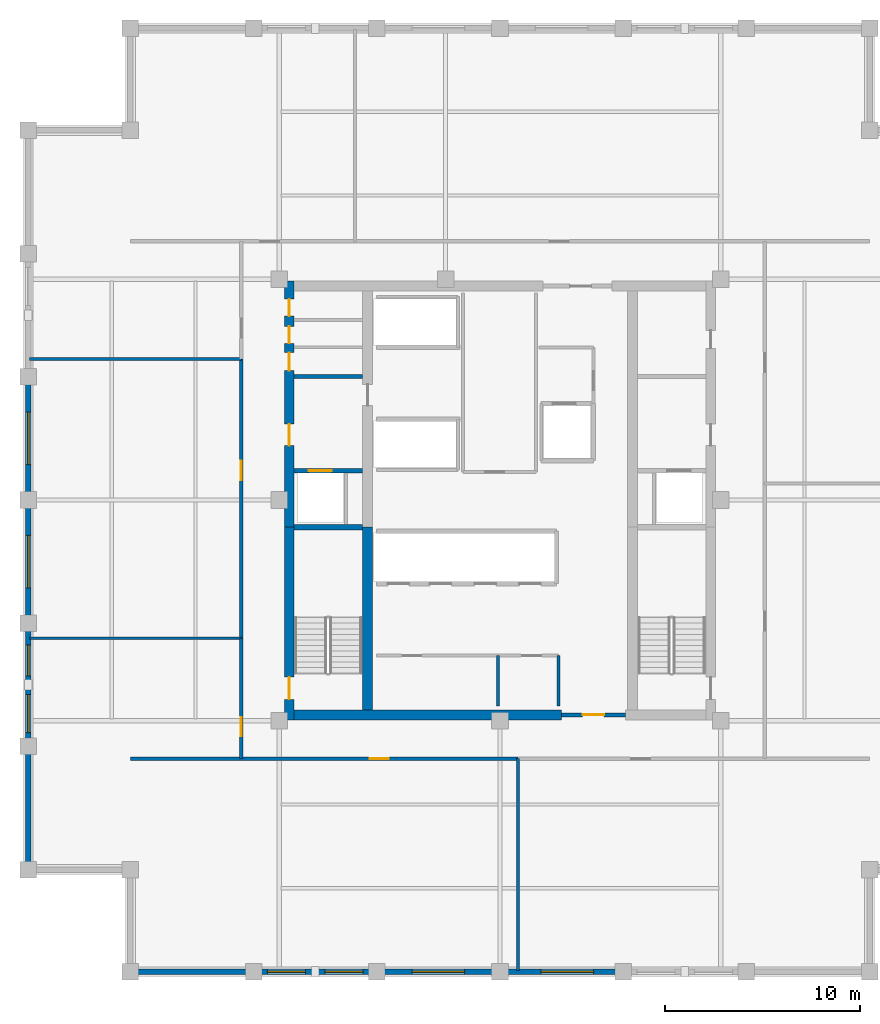
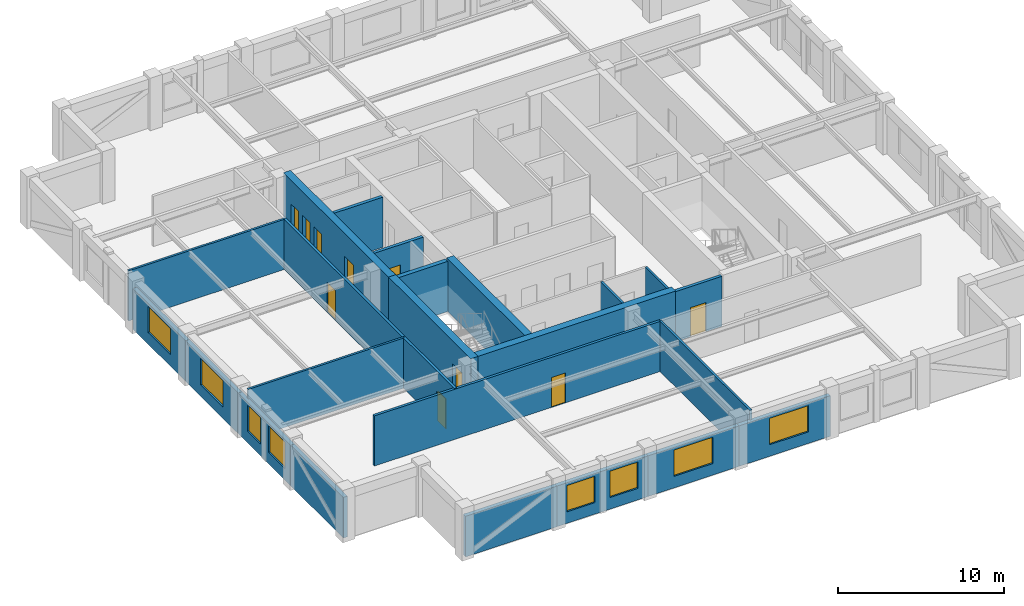
# One storey, part 2 of 6: 24 walls, 10 doors, 8 windows, 18 openings.
"""IFC4 building model written with IfcOpenShell, lengths in metres."""

from ifc_helpers import new_model, si_unit, direction, frame, frame_2d, origin, place, context, subcontext, project, spatial, rectangle, extrude, material, layer, layer_set, type_object, element, fill, save


model = new_model("IFC4")

# Units and contexts
model_context = context("Model", 3, precision=1e-05, world=origin(), true_north=direction((0.0, 1.0)))
body_context = subcontext(model_context, "Body", "Model", "MODEL_VIEW")
ifc_project = project(units=[si_unit("LENGTHUNIT", "METRE"), si_unit("AREAUNIT", "SQUARE_METRE"), si_unit("VOLUMEUNIT", "CUBIC_METRE"), si_unit("PLANEANGLEUNIT", "RADIAN"), si_unit("MASSUNIT", "GRAM", prefix="KILO")], contexts=[model_context])

# Site, building, storey
site_placement = place(None, origin())
site = spatial("IfcSite", under=ifc_project, at=site_placement, CompositionType="ELEMENT")
building_placement = place(site_placement, origin())
building = spatial("IfcBuilding", under=site, at=building_placement, Name="Nhamokura Convention Tower", CompositionType="ELEMENT")
storey_placement = place(building_placement, frame((0.0, 0.0, 217.699951171875)))
storey = spatial("IfcBuildingStorey", under=building, at=storey_placement, Name="L53", CompositionType="ELEMENT", Elevation=217.699951171875)

# Wall
ifc_material_1 = material(Name="Bronze-pigmented precast concrete C45/55", Category="concrete")
ifc_layer_1 = layer(ifc_material_1, 0.280029296875)
ifc_layer_set_1 = layer_set([ifc_layer_1], Name="BronzePrecastSpandrel_280")
wall_type_1 = type_object("IfcWallType", Name="BronzePrecastSpandrel_280", PredefinedType="USERDEFINED", material=ifc_layer_set_1)
wall_1_placement = place(storey_placement, frame((19.333251953125, 7.75, 0.0), z_axis=(0.0, 0.0, 1.0), x_axis=(-1.0, 0.0, 0.0)))
element("IfcWall", 1, at=wall_1_placement, inside=storey, type_object=wall_type_1, Name="L53 Braced-Bay Precast Wall SOUTH 0", ObjectType="SPANDREL_WALL", PredefinedType="USERDEFINED", context=body_context, shape_type="SweptSolid", body=[
    extrude(rectangle(XDim=6.333251953125, YDim=0.280029296875, at=frame_2d((3.16650390625, 0.0))), origin(), (0.0, 0.0, 1.0), 2.985107421875),
])

# Wall, openings, windows
wall_2_placement = place(storey_placement, frame((25.666748046875, 7.75, 0.0), z_axis=(0.0, 0.0, 1.0), x_axis=(-1.0, 0.0, 0.0)))
wall_2 = element("IfcWall", 2, at=wall_2_placement, inside=storey, type_object=wall_type_1, Name="L53 Masonry-Frame Wall SOUTH 1", ObjectType="SPANDREL_WALL", PredefinedType="USERDEFINED", context=body_context, shape_type="SweptSolid", body=[
    extrude(rectangle(XDim=6.33349609375, YDim=0.280029296875, at=frame_2d((3.166748046875, 0.0))), origin(), (0.0, 0.0, 1.0), 2.985107421875),
])
opening_1_placement = place(wall_2_placement, frame((0.708251953125, 0.0, 0.85009765625)))
opening_1 = element("IfcOpeningElement", 3, at=opening_1_placement, cuts=wall_2, Name="Opening W-08", PredefinedType="OPENING", context=body_context, shape_type="SweptSolid", body=[
    extrude(rectangle(XDim=1.949951171875, YDim=1.93505859375, at=frame_2d((0.97509765625, 0.967529296875))), frame((0.0, 0.14990234375, 0.0), z_axis=(0.0, -1.0, 0.0), x_axis=(1.0, 0.0, 0.0)), (0.0, 0.0, 1.0), 0.300048828125),
])
opening_2_placement = place(wall_2_placement, frame((3.675048828125, 0.0, 0.85009765625)))
opening_2 = element("IfcOpeningElement", 4, at=opening_2_placement, cuts=wall_2, Name="Opening W-08", PredefinedType="OPENING", context=body_context, shape_type="SweptSolid", body=[
    extrude(rectangle(XDim=1.949951171875, YDim=1.93505859375, at=frame_2d((0.97509765625, 0.967529296875))), frame((0.0, 0.14990234375, 0.0), z_axis=(0.0, -1.0, 0.0), x_axis=(1.0, 0.0, 0.0)), (0.0, 0.0, 1.0), 0.300048828125),
])
ifc_material_2 = material(Name="Solar-control bronze low-E double glass", Category="glass")
window_type_1 = type_object("IfcWindowType", Name="OfficeModuleWindow_Z3_1950", PartitioningType="SINGLE_PANEL", PredefinedType="WINDOW", material=ifc_material_2)
window_1_placement = place(opening_1_placement, origin())
window_1 = element("IfcWindow", 5, at=window_1_placement, inside=storey, type_object=window_type_1, Name="L53 Facade Window SOUTH 1-1", OverallHeight=1.93505859375, OverallWidth=1.949951171875, PartitioningType="SINGLE_PANEL", PredefinedType="WINDOW", context=body_context, shape_type="SweptSolid", body=[
    extrude(rectangle(XDim=1.949951171875, YDim=1.93505859375, at=frame_2d((0.97509765625, 0.967529296875))), frame((0.0, 0.030029296875, 0.0), z_axis=(0.0, -1.0, 0.0), x_axis=(1.0, 0.0, 0.0)), (0.0, 0.0, 1.0), 0.06005859375),
])
fill(opening_1, window_1)
window_2_placement = place(opening_2_placement, origin())
window_2 = element("IfcWindow", 6, at=window_2_placement, inside=storey, type_object=window_type_1, Name="L53 Facade Window SOUTH 1-2", OverallHeight=1.93505859375, OverallWidth=1.949951171875, PartitioningType="SINGLE_PANEL", PredefinedType="WINDOW", context=body_context, shape_type="SweptSolid", body=[
    extrude(rectangle(XDim=1.949951171875, YDim=1.93505859375, at=frame_2d((0.97509765625, 0.967529296875))), frame((0.0, 0.030029296875, 0.0), z_axis=(0.0, -1.0, 0.0), x_axis=(1.0, 0.0, 0.0)), (0.0, 0.0, 1.0), 0.06005859375),
])
fill(opening_2, window_2)

# Wall, opening, window
wall_3_placement = place(storey_placement, frame((32.0, 7.75, 0.0), z_axis=(0.0, 0.0, 1.0), x_axis=(-1.0, 0.0, 0.0)))
wall_3 = element("IfcWall", 7, at=wall_3_placement, inside=storey, type_object=wall_type_1, Name="L53 Masonry-Frame Wall SOUTH 2", ObjectType="SPANDREL_WALL", PredefinedType="USERDEFINED", context=body_context, shape_type="SweptSolid", body=[
    extrude(rectangle(XDim=6.333251953125, YDim=0.280029296875, at=frame_2d((3.16650390625, 0.0))), origin(), (0.0, 0.0, 1.0), 2.985107421875),
])
opening_3_placement = place(wall_3_placement, frame((1.816650390625, 0.0, 0.85009765625)))
opening_3 = element("IfcOpeningElement", 8, at=opening_3_placement, cuts=wall_3, Name="Opening W-07", PredefinedType="OPENING", context=body_context, shape_type="SweptSolid", body=[
    extrude(rectangle(XDim=2.699951171875, YDim=1.93505859375, at=frame_2d((1.35009765625, 0.967529296875))), frame((0.0, 0.14990234375, 0.0), z_axis=(0.0, -1.0, 0.0), x_axis=(1.0, 0.0, 0.0)), (0.0, 0.0, 1.0), 0.300048828125),
])
ifc_material_3 = material(Name="Solar-control bronze low-E double glass", Category="glass")
window_type_2 = type_object("IfcWindowType", Name="OfficeModuleWindow_Z3_2700", PartitioningType="DOUBLE_PANEL_VERTICAL", PredefinedType="WINDOW", material=ifc_material_3)
window_3_placement = place(opening_3_placement, origin())
window_3 = element("IfcWindow", 9, at=window_3_placement, inside=storey, type_object=window_type_2, Name="L53 Facade Window SOUTH 2", OverallHeight=1.93505859375, OverallWidth=2.699951171875, PartitioningType="SINGLE_PANEL", PredefinedType="WINDOW", context=body_context, shape_type="SweptSolid", body=[
    extrude(rectangle(XDim=2.699951171875, YDim=1.93505859375, at=frame_2d((1.35009765625, 0.967529296875))), frame((0.0, 0.030029296875, 0.0), z_axis=(0.0, -1.0, 0.0), x_axis=(1.0, 0.0, 0.0)), (0.0, 0.0, 1.0), 0.06005859375),
])
fill(opening_3, window_3)

wall_4_placement = place(storey_placement, frame((38.333251953125, 7.75, 0.0), z_axis=(0.0, 0.0, 1.0), x_axis=(-1.0, 0.0, 0.0)))
wall_4 = element("IfcWall", 10, at=wall_4_placement, inside=storey, type_object=wall_type_1, Name="L53 Masonry-Frame Wall SOUTH 3", ObjectType="SPANDREL_WALL", PredefinedType="USERDEFINED", context=body_context, shape_type="SweptSolid", body=[
    extrude(rectangle(XDim=6.333251953125, YDim=0.280029296875, at=frame_2d((3.16650390625, 0.0))), origin(), (0.0, 0.0, 1.0), 2.985107421875),
])
opening_4_placement = place(wall_4_placement, frame((1.5166015625, 0.0, 0.85009765625)))
opening_4 = element("IfcOpeningElement", 11, at=opening_4_placement, cuts=wall_4, Name="Opening W-07", PredefinedType="OPENING", context=body_context, shape_type="SweptSolid", body=[
    extrude(rectangle(XDim=2.699951171875, YDim=1.93505859375, at=frame_2d((1.35009765625, 0.967529296875))), frame((0.0, 0.14990234375, 0.0), z_axis=(0.0, -1.0, 0.0), x_axis=(1.0, 0.0, 0.0)), (0.0, 0.0, 1.0), 0.300048828125),
])
window_4_placement = place(opening_4_placement, origin())
window_4 = element("IfcWindow", 12, at=window_4_placement, inside=storey, type_object=window_type_2, Name="L53 Facade Window SOUTH 3", OverallHeight=1.93505859375, OverallWidth=2.699951171875, PartitioningType="SINGLE_PANEL", PredefinedType="WINDOW", context=body_context, shape_type="SweptSolid", body=[
    extrude(rectangle(XDim=2.699951171875, YDim=1.93505859375, at=frame_2d((1.35009765625, 0.967529296875))), frame((0.0, 0.030029296875, 0.0), z_axis=(0.0, -1.0, 0.0), x_axis=(1.0, 0.0, 0.0)), (0.0, 0.0, 1.0), 0.06005859375),
])
fill(opening_4, window_4)

# Wall
wall_5_placement = place(storey_placement, frame((7.75, 13.0, 0.0), z_axis=(0.0, 0.0, 1.0), x_axis=(0.0, 1.0, 0.0)))
element("IfcWall", 13, at=wall_5_placement, inside=storey, type_object=wall_type_1, Name="L53 Braced-Bay Precast Wall WEST 0", ObjectType="SPANDREL_WALL", PredefinedType="USERDEFINED", context=body_context, shape_type="SweptSolid", body=[
    extrude(rectangle(XDim=6.333251953125, YDim=0.280029296875, at=frame_2d((3.16650390625, 0.0))), origin(), (0.0, 0.0, 1.0), 2.985107421875),
])

# Wall, openings, windows
wall_6_placement = place(storey_placement, frame((7.75, 19.333251953125, 0.0), z_axis=(0.0, 0.0, 1.0), x_axis=(0.0, 1.0, 0.0)))
wall_6 = element("IfcWall", 14, at=wall_6_placement, inside=storey, type_object=wall_type_1, Name="L53 Masonry-Frame Wall WEST 1", ObjectType="SPANDREL_WALL", PredefinedType="USERDEFINED", context=body_context, shape_type="SweptSolid", body=[
    extrude(rectangle(XDim=6.33349609375, YDim=0.280029296875, at=frame_2d((3.166748046875, 0.0))), origin(), (0.0, 0.0, 1.0), 2.985107421875),
])
opening_5_placement = place(wall_6_placement, frame((0.708251953125, 0.0, 0.85009765625)))
opening_5 = element("IfcOpeningElement", 15, at=opening_5_placement, cuts=wall_6, Name="Opening W-08", PredefinedType="OPENING", context=body_context, shape_type="SweptSolid", body=[
    extrude(rectangle(XDim=1.949951171875, YDim=1.93505859375, at=frame_2d((0.97509765625, 0.967529296875))), frame((0.0, 0.14990234375, 0.0), z_axis=(0.0, -1.0, 0.0), x_axis=(1.0, 0.0, 0.0)), (0.0, 0.0, 1.0), 0.300048828125),
])
opening_6_placement = place(wall_6_placement, frame((3.625, 0.0, 0.85009765625)))
opening_6 = element("IfcOpeningElement", 16, at=opening_6_placement, cuts=wall_6, Name="Opening W-11", PredefinedType="OPENING", context=body_context, shape_type="SweptSolid", body=[
    extrude(rectangle(XDim=1.60009765625, YDim=1.93505859375, at=frame_2d((0.800048828125, 0.967529296875))), frame((0.0, 0.14990234375, 0.0), z_axis=(0.0, -1.0, 0.0), x_axis=(1.0, 0.0, 0.0)), (0.0, 0.0, 1.0), 0.300048828125),
])
ifc_material_4 = material(Name="Solar-control bronze low-E double glass", Category="glass")
window_type_3 = type_object("IfcWindowType", Name="NotchCornerWindow_1600", PartitioningType="SINGLE_PANEL", PredefinedType="WINDOW", material=ifc_material_4)
window_5_placement = place(opening_6_placement, origin())
window_5 = element("IfcWindow", 17, at=window_5_placement, inside=storey, type_object=window_type_3, Name="L53 Facade Window WEST 1-2", OverallHeight=1.93505859375, OverallWidth=1.60009765625, PartitioningType="SINGLE_PANEL", PredefinedType="WINDOW", context=body_context, shape_type="SweptSolid", body=[
    extrude(rectangle(XDim=1.60009765625, YDim=1.93505859375, at=frame_2d((0.800048828125, 0.967529296875))), frame((0.0, 0.030029296875, 0.0), z_axis=(0.0, -1.0, 0.0), x_axis=(1.0, 0.0, 0.0)), (0.0, 0.0, 1.0), 0.06005859375),
])
fill(opening_6, window_5)
window_6_placement = place(opening_5_placement, origin())
window_6 = element("IfcWindow", 18, at=window_6_placement, inside=storey, type_object=window_type_1, Name="L53 Facade Window WEST 1-1", OverallHeight=1.93505859375, OverallWidth=1.949951171875, PartitioningType="SINGLE_PANEL", PredefinedType="WINDOW", context=body_context, shape_type="SweptSolid", body=[
    extrude(rectangle(XDim=1.949951171875, YDim=1.93505859375, at=frame_2d((0.97509765625, 0.967529296875))), frame((0.0, 0.030029296875, 0.0), z_axis=(0.0, -1.0, 0.0), x_axis=(1.0, 0.0, 0.0)), (0.0, 0.0, 1.0), 0.06005859375),
])
fill(opening_5, window_6)

# Wall, opening, window
wall_7_placement = place(storey_placement, frame((7.75, 25.666748046875, 0.0), z_axis=(0.0, 0.0, 1.0), x_axis=(0.0, 1.0, 0.0)))
wall_7 = element("IfcWall", 19, at=wall_7_placement, inside=storey, type_object=wall_type_1, Name="L53 Masonry-Frame Wall WEST 2", ObjectType="SPANDREL_WALL", PredefinedType="USERDEFINED", context=body_context, shape_type="SweptSolid", body=[
    extrude(rectangle(XDim=6.333251953125, YDim=0.280029296875, at=frame_2d((3.16650390625, 0.0))), origin(), (0.0, 0.0, 1.0), 2.985107421875),
])
opening_7_placement = place(wall_7_placement, frame((1.816650390625, 0.0, 0.85009765625)))
opening_7 = element("IfcOpeningElement", 20, at=opening_7_placement, cuts=wall_7, Name="Opening W-07", PredefinedType="OPENING", context=body_context, shape_type="SweptSolid", body=[
    extrude(rectangle(XDim=2.699951171875, YDim=1.93505859375, at=frame_2d((1.35009765625, 0.967529296875))), frame((0.0, 0.14990234375, 0.0), z_axis=(0.0, -1.0, 0.0), x_axis=(1.0, 0.0, 0.0)), (0.0, 0.0, 1.0), 0.300048828125),
])
window_7_placement = place(opening_7_placement, origin())
window_7 = element("IfcWindow", 21, at=window_7_placement, inside=storey, type_object=window_type_2, Name="L53 Facade Window WEST 2", OverallHeight=1.93505859375, OverallWidth=2.699951171875, PartitioningType="SINGLE_PANEL", PredefinedType="WINDOW", context=body_context, shape_type="SweptSolid", body=[
    extrude(rectangle(XDim=2.699951171875, YDim=1.93505859375, at=frame_2d((1.35009765625, 0.967529296875))), frame((0.0, 0.030029296875, 0.0), z_axis=(0.0, -1.0, 0.0), x_axis=(1.0, 0.0, 0.0)), (0.0, 0.0, 1.0), 0.06005859375),
])
fill(opening_7, window_7)

wall_8_placement = place(storey_placement, frame((7.75, 32.0, 0.0), z_axis=(0.0, 0.0, 1.0), x_axis=(0.0, 1.0, 0.0)))
wall_8 = element("IfcWall", 22, at=wall_8_placement, inside=storey, type_object=wall_type_1, Name="L53 Masonry-Frame Wall WEST 3", ObjectType="SPANDREL_WALL", PredefinedType="USERDEFINED", context=body_context, shape_type="SweptSolid", body=[
    extrude(rectangle(XDim=6.333251953125, YDim=0.280029296875, at=frame_2d((3.16650390625, 0.0))), origin(), (0.0, 0.0, 1.0), 2.985107421875),
])
opening_8_placement = place(wall_8_placement, frame((1.816650390625, 0.0, 0.85009765625)))
opening_8 = element("IfcOpeningElement", 23, at=opening_8_placement, cuts=wall_8, Name="Opening W-07", PredefinedType="OPENING", context=body_context, shape_type="SweptSolid", body=[
    extrude(rectangle(XDim=2.699951171875, YDim=1.93505859375, at=frame_2d((1.35009765625, 0.967529296875))), frame((0.0, 0.14990234375, 0.0), z_axis=(0.0, -1.0, 0.0), x_axis=(1.0, 0.0, 0.0)), (0.0, 0.0, 1.0), 0.300048828125),
])
window_8_placement = place(opening_8_placement, origin())
window_8 = element("IfcWindow", 24, at=window_8_placement, inside=storey, type_object=window_type_2, Name="L53 Facade Window WEST 3", OverallHeight=1.93505859375, OverallWidth=2.699951171875, PartitioningType="SINGLE_PANEL", PredefinedType="WINDOW", context=body_context, shape_type="SweptSolid", body=[
    extrude(rectangle(XDim=2.699951171875, YDim=1.93505859375, at=frame_2d((1.35009765625, 0.967529296875))), frame((0.0, 0.030029296875, 0.0), z_axis=(0.0, -1.0, 0.0), x_axis=(1.0, 0.0, 0.0)), (0.0, 0.0, 1.0), 0.06005859375),
])
fill(opening_8, window_8)

# Wall, opening, door
ifc_material_5 = material(Name="Concrete C60/75", Category="concrete")
ifc_layer_2 = layer(ifc_material_5, 0.5)
ifc_layer_set_2 = layer_set([ifc_layer_2], Name="CoreShearWall_500")
wall_type_2 = type_object("IfcWallType", Name="CoreShearWall_500", PredefinedType="SHEAR", material=ifc_layer_set_2)
wall_9_placement = place(storey_placement, frame((21.159912109375, 20.699951171875, 0.0), z_axis=(0.0, 0.0, 1.0), x_axis=(0.0, 1.0, 0.0)))
wall_9 = element("IfcWall", 25, at=wall_9_placement, inside=storey, type_object=wall_type_2, Name="L53 Core Shear Wall CW-WS", PredefinedType="SHEAR", context=body_context, shape_type="SweptSolid", body=[
    extrude(rectangle(XDim=9.900146484375, YDim=0.5, at=frame_2d((4.9501953125, 0.0))), origin(), (0.0, 0.0, 1.0), 3.85009765625),
])
opening_9_placement = place(wall_9_placement, frame((1.050048828125, 0.0, 0.0)))
opening_9 = element("IfcOpeningElement", 26, at=opening_9_placement, cuts=wall_9, Name="Opening D-04", PredefinedType="OPENING", context=body_context, shape_type="SweptSolid", body=[
    extrude(rectangle(XDim=1.14990234375, YDim=2.14990234375, at=frame_2d((0.574951171875, 1.074951171875))), frame((0.0, 0.260009765625, 0.0), z_axis=(0.0, -1.0, 0.0), x_axis=(1.0, 0.0, 0.0)), (0.0, 0.0, 1.0), 0.52001953125),
])
ifc_material_6 = material(Name="Fire-rated steel door", Category="steel")
door_type_1 = type_object("IfcDoorType", Name="StairSmokeDoor_1150", OperationType="NOTDEFINED", PredefinedType="DOOR", material=ifc_material_6)
door_1_placement = place(opening_9_placement, origin())
door_1 = element("IfcDoor", 27, at=door_1_placement, inside=storey, type_object=door_type_1, Name="L53 Core Door INT-L53-D-ST01", OperationType="SINGLE_SWING_LEFT", OverallHeight=2.14990234375, OverallWidth=1.14990234375, PredefinedType="DOOR", context=body_context, shape_type="SweptSolid", body=[
    extrude(rectangle(XDim=1.14990234375, YDim=2.14990234375, at=frame_2d((0.574951171875, 1.074951171875))), frame((0.0, 0.02490234375, 0.0), z_axis=(0.0, -1.0, 0.0), x_axis=(1.0, 0.0, 0.0)), (0.0, 0.0, 1.0), 0.050048828125),
])
fill(opening_9, door_1)

# Wall, openings, doors
wall_10_placement = place(storey_placement, frame((21.159912109375, 30.60009765625, 0.0), z_axis=(0.0, 0.0, 1.0), x_axis=(0.0, 1.0, 0.0)))
wall_10 = element("IfcWall", 28, at=wall_10_placement, inside=storey, type_object=wall_type_2, Name="L53 Core Shear Wall CW-WN", PredefinedType="SHEAR", context=body_context, shape_type="SweptSolid", body=[
    extrude(rectangle(XDim=12.64990234375, YDim=0.5, at=frame_2d((6.324951171875, 0.0))), origin(), (0.0, 0.0, 1.0), 3.85009765625),
])
opening_10_placement = place(wall_10_placement, frame((4.199951171875, 0.0, 0.0)))
opening_10 = element("IfcOpeningElement", 29, at=opening_10_placement, cuts=wall_10, Name="Opening D-05", PredefinedType="OPENING", context=body_context, shape_type="SweptSolid", body=[
    extrude(rectangle(XDim=1.10009765625, YDim=2.14990234375, at=frame_2d((0.550048828125, 1.074951171875))), frame((0.0, 0.260009765625, 0.0), z_axis=(0.0, -1.0, 0.0), x_axis=(1.0, 0.0, 0.0)), (0.0, 0.0, 1.0), 0.52001953125),
])
opening_11_placement = place(wall_10_placement, frame((8.050048828125, 0.0, 0.0)))
opening_11 = element("IfcOpeningElement", 30, at=opening_11_placement, cuts=wall_10, Name="Opening D-10", PredefinedType="OPENING", context=body_context, shape_type="SweptSolid", body=[
    extrude(rectangle(XDim=0.919921875, YDim=2.10009765625, at=frame_2d((0.4599609375, 1.050048828125))), frame((0.0, 0.260009765625, 0.0), z_axis=(0.0, -1.0, 0.0), x_axis=(1.0, 0.0, 0.0)), (0.0, 0.0, 1.0), 0.52001953125),
])
opening_12_placement = place(wall_10_placement, frame((9.449951171875, 0.0, 0.0)))
opening_12 = element("IfcOpeningElement", 31, at=opening_12_placement, cuts=wall_10, Name="Opening D-11", PredefinedType="OPENING", context=body_context, shape_type="SweptSolid", body=[
    extrude(rectangle(XDim=0.8798828125, YDim=2.10009765625, at=frame_2d((0.43994140625, 1.050048828125))), frame((0.0, 0.260009765625, 0.0), z_axis=(0.0, -1.0, 0.0), x_axis=(1.0, 0.0, 0.0)), (0.0, 0.0, 1.0), 0.52001953125),
])
opening_13_placement = place(wall_10_placement, frame((10.85009765625, 0.0, 0.0)))
opening_13 = element("IfcOpeningElement", 32, at=opening_13_placement, cuts=wall_10, Name="Opening D-11", PredefinedType="OPENING", context=body_context, shape_type="SweptSolid", body=[
    extrude(rectangle(XDim=0.8798828125, YDim=2.10009765625, at=frame_2d((0.43994140625, 1.050048828125))), frame((0.0, 0.260009765625, 0.0), z_axis=(0.0, -1.0, 0.0), x_axis=(1.0, 0.0, 0.0)), (0.0, 0.0, 1.0), 0.52001953125),
])
ifc_material_7 = material(Name="Solid oak hardwood", Category="wood")
door_type_2 = type_object("IfcDoorType", Name="AccessibleWCDoor_920", OperationType="NOTDEFINED", PredefinedType="DOOR", material=ifc_material_7)
door_2_placement = place(opening_11_placement, origin())
door_2 = element("IfcDoor", 33, at=door_2_placement, inside=storey, type_object=door_type_2, Name="L53 Core Door INT-L53-D-AWC", OperationType="SINGLE_SWING_LEFT", OverallHeight=2.10009765625, OverallWidth=0.919921875, PredefinedType="DOOR", context=body_context, shape_type="SweptSolid", body=[
    extrude(rectangle(XDim=0.919921875, YDim=2.10009765625, at=frame_2d((0.4599609375, 1.050048828125))), frame((0.0, 0.02490234375, 0.0), z_axis=(0.0, -1.0, 0.0), x_axis=(1.0, 0.0, 0.0)), (0.0, 0.0, 1.0), 0.050048828125),
])
fill(opening_11, door_2)
ifc_material_8 = material(Name="Solid oak hardwood", Category="wood")
door_type_3 = type_object("IfcDoorType", Name="BathroomDoor_880", OperationType="NOTDEFINED", PredefinedType="DOOR", material=ifc_material_8)
door_3_placement = place(opening_12_placement, origin())
door_3 = element("IfcDoor", 34, at=door_3_placement, inside=storey, type_object=door_type_3, Name="L53 Core Door INT-L53-D-CLN", OperationType="SINGLE_SWING_RIGHT", OverallHeight=2.10009765625, OverallWidth=0.8798828125, PredefinedType="DOOR", context=body_context, shape_type="SweptSolid", body=[
    extrude(rectangle(XDim=0.8798828125, YDim=2.10009765625, at=frame_2d((0.43994140625, 1.050048828125))), frame((0.0, 0.02490234375, 0.0), z_axis=(0.0, -1.0, 0.0), x_axis=(1.0, 0.0, 0.0)), (0.0, 0.0, 1.0), 0.050048828125),
])
fill(opening_12, door_3)
door_4_placement = place(opening_13_placement, origin())
door_4 = element("IfcDoor", 35, at=door_4_placement, inside=storey, type_object=door_type_3, Name="L53 Core Door INT-L53-D-PNT", OperationType="SINGLE_SWING_LEFT", OverallHeight=2.10009765625, OverallWidth=0.8798828125, PredefinedType="DOOR", context=body_context, shape_type="SweptSolid", body=[
    extrude(rectangle(XDim=0.8798828125, YDim=2.10009765625, at=frame_2d((0.43994140625, 1.050048828125))), frame((0.0, 0.02490234375, 0.0), z_axis=(0.0, -1.0, 0.0), x_axis=(1.0, 0.0, 0.0)), (0.0, 0.0, 1.0), 0.050048828125),
])
fill(opening_13, door_4)
ifc_material_9 = material(Name="Fire-rated steel door", Category="steel")
door_type_4 = type_object("IfcDoorType", Name="FireLobbyDoor_1100", OperationType="NOTDEFINED", PredefinedType="DOOR", material=ifc_material_9)
door_5_placement = place(opening_10_placement, origin())
door_5 = element("IfcDoor", 36, at=door_5_placement, inside=storey, type_object=door_type_4, Name="L53 Core Door INT-L53-D-FFLW", OperationType="SINGLE_SWING_RIGHT", OverallHeight=2.14990234375, OverallWidth=1.10009765625, PredefinedType="DOOR", context=body_context, shape_type="SweptSolid", body=[
    extrude(rectangle(XDim=1.10009765625, YDim=2.14990234375, at=frame_2d((0.550048828125, 1.074951171875))), frame((0.0, 0.02490234375, 0.0), z_axis=(0.0, -1.0, 0.0), x_axis=(1.0, 0.0, 0.0)), (0.0, 0.0, 1.0), 0.050048828125),
])
fill(opening_10, door_5)

# Walls
wall_11_placement = place(storey_placement, frame((21.409912109375, 20.949951171875, 0.0), z_axis=(0.0, 0.0, 1.0), x_axis=(1.0, 0.0, 0.0)))
element("IfcWall", 37, at=wall_11_placement, inside=storey, type_object=wall_type_2, Name="L53 Core Shear Wall CW-S1", PredefinedType="SHEAR", context=body_context, shape_type="SweptSolid", body=[
    extrude(rectangle(XDim=13.739990234375, YDim=0.5, at=frame_2d((6.8701171875, 0.0))), origin(), (0.0, 0.0, 1.0), 3.85009765625),
])
wall_12_placement = place(storey_placement, frame((25.18994140625, 21.199951171875, 0.0), z_axis=(0.0, 0.0, 1.0), x_axis=(0.0, 1.0, 0.0)))
element("IfcWall", 38, at=wall_12_placement, inside=storey, type_object=wall_type_2, Name="L53 Core Shear Wall CW-IWS", PredefinedType="SHEAR", context=body_context, shape_type="SweptSolid", body=[
    extrude(rectangle(XDim=9.400146484375, YDim=0.5, at=frame_2d((4.7001953125, 0.0))), origin(), (0.0, 0.0, 1.0), 3.85009765625),
])

# Wall, opening, door
ifc_material_10 = material(Name="Fire-rated gypsum and masonry partition", Category="masonry")
ifc_layer_3 = layer(ifc_material_10, 0.179931640625)
ifc_layer_set_3 = layer_set([ifc_layer_3], Name="CorridorRatedWall_180")
wall_type_3 = type_object("IfcWallType", Name="CorridorRatedWall_180", PredefinedType="STANDARD", material=ifc_layer_set_3)
wall_13_placement = place(storey_placement, frame((13.0, 18.699951171875, 0.0), z_axis=(0.0, 0.0, 1.0), x_axis=(1.0, 0.0, 0.0)))
wall_13 = element("IfcWall", 39, at=wall_13_placement, inside=storey, type_object=wall_type_3, Name="L53 Wall INT-L53-CW-S00", PredefinedType="STANDARD", context=body_context, shape_type="SweptSolid", body=[
    extrude(rectangle(XDim=19.925048828125, YDim=0.179931640625, at=frame_2d((9.96240234375, 0.0))), origin(), (0.0, 0.0, 1.0), 3.68505859375),
])
opening_14_placement = place(wall_13_placement, frame((12.3125, 0.0, 0.0)))
opening_14 = element("IfcOpeningElement", 40, at=opening_14_placement, cuts=wall_13, Name="Opening D-08", PredefinedType="OPENING", context=body_context, shape_type="SweptSolid", body=[
    extrude(rectangle(XDim=0.97998046875, YDim=2.199951171875, at=frame_2d((0.489990234375, 1.10009765625))), frame((0.0, 0.099853515625, 0.0), z_axis=(0.0, -1.0, 0.0), x_axis=(1.0, 0.0, 0.0)), (0.0, 0.0, 1.0), 0.199951171875),
])
ifc_material_11 = material(Name="Solid oak hardwood", Category="wood")
door_type_5 = type_object("IfcDoorType", Name="OfficeEntryDoor_980", OperationType="NOTDEFINED", PredefinedType="DOOR", material=ifc_material_11)
door_6_placement = place(opening_14_placement, origin())
door_6 = element("IfcDoor", 41, at=door_6_placement, inside=storey, type_object=door_type_5, Name="L53 Design Studio S01 Door", OperationType="SINGLE_SWING_LEFT", OverallHeight=2.199951171875, OverallWidth=0.97998046875, PredefinedType="DOOR", context=body_context, shape_type="SweptSolid", body=[
    extrude(rectangle(XDim=0.97998046875, YDim=2.199951171875, at=frame_2d((0.489990234375, 1.10009765625))), frame((0.0, 0.02490234375, 0.0), z_axis=(0.0, -1.0, 0.0), x_axis=(1.0, 0.0, 0.0)), (0.0, 0.0, 1.0), 0.050048828125),
])
fill(opening_14, door_6)

wall_14_placement = place(storey_placement, frame((18.699951171875, 18.699951171875, 0.0), z_axis=(0.0, 0.0, 1.0), x_axis=(0.0, 1.0, 0.0)))
wall_14 = element("IfcWall", 42, at=wall_14_placement, inside=storey, type_object=wall_type_3, Name="L53 Wall INT-L53-CW-W00", PredefinedType="STANDARD", context=body_context, shape_type="SweptSolid", body=[
    extrude(rectangle(XDim=6.191650390625, YDim=0.179931640625, at=frame_2d((3.095703125, 0.0))), origin(), (0.0, 0.0, 1.0), 3.68505859375),
])
opening_15_placement = place(wall_14_placement, frame((1.14599609375, 0.0, 0.0)))
opening_15 = element("IfcOpeningElement", 43, at=opening_15_placement, cuts=wall_14, Name="Opening D-08", PredefinedType="OPENING", context=body_context, shape_type="SweptSolid", body=[
    extrude(rectangle(XDim=0.97998046875, YDim=2.199951171875, at=frame_2d((0.489990234375, 1.10009765625))), frame((0.0, 0.099853515625, 0.0), z_axis=(0.0, -1.0, 0.0), x_axis=(1.0, 0.0, 0.0)), (0.0, 0.0, 1.0), 0.199951171875),
])
door_7_placement = place(opening_15_placement, origin())
door_7 = element("IfcDoor", 44, at=door_7_placement, inside=storey, type_object=door_type_5, Name="L53 Materials Library W01 Door", OperationType="SINGLE_SWING_LEFT", OverallHeight=2.199951171875, OverallWidth=0.97998046875, PredefinedType="DOOR", context=body_context, shape_type="SweptSolid", body=[
    extrude(rectangle(XDim=0.97998046875, YDim=2.199951171875, at=frame_2d((0.489990234375, 1.10009765625))), frame((0.0, 0.02490234375, 0.0), z_axis=(0.0, -1.0, 0.0), x_axis=(1.0, 0.0, 0.0)), (0.0, 0.0, 1.0), 0.050048828125),
])
fill(opening_15, door_7)

wall_15_placement = place(storey_placement, frame((18.699951171875, 24.8916015625, 0.0), z_axis=(0.0, 0.0, 1.0), x_axis=(0.0, 1.0, 0.0)))
wall_15 = element("IfcWall", 45, at=wall_15_placement, inside=storey, type_object=wall_type_3, Name="L53 Wall INT-L53-CW-W01", PredefinedType="STANDARD", context=body_context, shape_type="SweptSolid", body=[
    extrude(rectangle(XDim=14.36669921875, YDim=0.179931640625, at=frame_2d((7.183349609375, 0.0))), origin(), (0.0, 0.0, 1.0), 3.68505859375),
])
opening_16_placement = place(wall_15_placement, frame((8.13330078125, 0.0, 0.0)))
opening_16 = element("IfcOpeningElement", 46, at=opening_16_placement, cuts=wall_15, Name="Opening D-08", PredefinedType="OPENING", context=body_context, shape_type="SweptSolid", body=[
    extrude(rectangle(XDim=0.97998046875, YDim=2.199951171875, at=frame_2d((0.489990234375, 1.10009765625))), frame((0.0, 0.099853515625, 0.0), z_axis=(0.0, -1.0, 0.0), x_axis=(1.0, 0.0, 0.0)), (0.0, 0.0, 1.0), 0.199951171875),
])
door_8_placement = place(opening_16_placement, origin())
door_8 = element("IfcDoor", 47, at=door_8_placement, inside=storey, type_object=door_type_5, Name="L53 Private Office W02 Door", OperationType="SINGLE_SWING_RIGHT", OverallHeight=2.199951171875, OverallWidth=0.97998046875, PredefinedType="DOOR", context=body_context, shape_type="SweptSolid", body=[
    extrude(rectangle(XDim=0.97998046875, YDim=2.199951171875, at=frame_2d((0.489990234375, 1.10009765625))), frame((0.0, 0.02490234375, 0.0), z_axis=(0.0, -1.0, 0.0), x_axis=(1.0, 0.0, 0.0)), (0.0, 0.0, 1.0), 0.050048828125),
])
fill(opening_16, door_8)

ifc_material_12 = material(Name="Autoclaved concrete blockwork", Category="masonry")
ifc_layer_4 = layer(ifc_material_12, 0.219970703125)
ifc_layer_set_4 = layer_set([ifc_layer_4], Name="FireLobbyWall_220")
wall_type_4 = type_object("IfcWallType", Name="FireLobbyWall_220", PredefinedType="STANDARD", material=ifc_layer_set_4)
wall_16_placement = place(storey_placement, frame((21.409912109375, 33.5, 0.0), z_axis=(0.0, 0.0, 1.0), x_axis=(1.0, 0.0, 0.0)))
wall_16 = element("IfcWall", 48, at=wall_16_placement, inside=storey, type_object=wall_type_4, Name="L53 Wall INT-L53-FFW-S", PredefinedType="STANDARD", context=body_context, shape_type="SweptSolid", body=[
    extrude(rectangle(XDim=3.530029296875, YDim=0.219970703125, at=frame_2d((1.76513671875, 0.0))), origin(), (0.0, 0.0, 1.0), 3.68505859375),
])
opening_17_placement = place(wall_16_placement, frame((0.75, 0.0, 0.0)))
opening_17 = element("IfcOpeningElement", 49, at=opening_17_placement, cuts=wall_16, Name="Opening LD-02", PredefinedType="OPENING", context=body_context, shape_type="SweptSolid", body=[
    extrude(rectangle(XDim=1.199951171875, YDim=2.199951171875, at=frame_2d((0.60009765625, 1.10009765625))), frame((0.0, 0.119873046875, 0.0), z_axis=(0.0, -1.0, 0.0), x_axis=(1.0, 0.0, 0.0)), (0.0, 0.0, 1.0), 0.239990234375),
])
ifc_material_13 = material(Name="Anodised bronze stainless steel", Category="steel")
door_type_6 = type_object("IfcDoorType", Name="LiftLandingDoor_FireService", OperationType="DOUBLE_DOOR_SLIDING", PredefinedType="DOOR", material=ifc_material_13)
door_9_placement = place(opening_17_placement, origin())
door_9 = element("IfcDoor", 50, at=door_9_placement, inside=storey, type_object=door_type_6, Name="L53 Firefighting Lift LF-01 Door", OperationType="DOUBLE_DOOR_SLIDING", OverallHeight=2.199951171875, OverallWidth=1.199951171875, PredefinedType="DOOR", context=body_context, shape_type="SweptSolid", body=[
    extrude(rectangle(XDim=1.199951171875, YDim=2.199951171875, at=frame_2d((0.60009765625, 1.10009765625))), frame((0.0, 0.02490234375, 0.0), z_axis=(0.0, -1.0, 0.0), x_axis=(1.0, 0.0, 0.0)), (0.0, 0.0, 1.0), 0.050048828125),
])
fill(opening_17, door_9)

# Wall
wall_17_placement = place(storey_placement, frame((21.409912109375, 38.35009765625, 0.0), z_axis=(0.0, 0.0, 1.0), x_axis=(1.0, 0.0, 0.0)))
element("IfcWall", 51, at=wall_17_placement, inside=storey, type_object=wall_type_4, Name="L53 Wall INT-L53-FFW-N", PredefinedType="STANDARD", context=body_context, shape_type="SweptSolid", body=[
    extrude(rectangle(XDim=3.530029296875, YDim=0.219970703125, at=frame_2d((1.76513671875, 0.0))), origin(), (0.0, 0.0, 1.0), 3.68505859375),
])

# Wall, opening, door
wall_18_placement = place(storey_placement, frame((35.14990234375, 20.949951171875, 0.0), z_axis=(0.0, 0.0, 1.0), x_axis=(1.0, 0.0, 0.0)))
wall_18 = element("IfcWall", 52, at=wall_18_placement, inside=storey, type_object=wall_type_4, Name="L53 Wall INT-L53-SPORT-S", PredefinedType="STANDARD", context=body_context, shape_type="SweptSolid", body=[
    extrude(rectangle(XDim=3.300048828125, YDim=0.219970703125, at=frame_2d((1.64990234375, 0.0))), origin(), (0.0, 0.0, 1.0), 3.68505859375),
])
opening_18_placement = place(wall_18_placement, frame((1.10009765625, 0.0, 0.0)))
opening_18 = element("IfcOpeningElement", 53, at=opening_18_placement, cuts=wall_18, Name="Opening D-05", PredefinedType="OPENING", context=body_context, shape_type="SweptSolid", body=[
    extrude(rectangle(XDim=1.10009765625, YDim=2.14990234375, at=frame_2d((0.550048828125, 1.074951171875))), frame((0.0, 0.119873046875, 0.0), z_axis=(0.0, -1.0, 0.0), x_axis=(1.0, 0.0, 0.0)), (0.0, 0.0, 1.0), 0.239990234375),
])
door_10_placement = place(opening_18_placement, origin())
door_10 = element("IfcDoor", 54, at=door_10_placement, inside=storey, type_object=door_type_4, Name="L53 South Core Lobby Portal Door", OperationType="SINGLE_SWING_LEFT", OverallHeight=2.14990234375, OverallWidth=1.10009765625, PredefinedType="DOOR", context=body_context, shape_type="SweptSolid", body=[
    extrude(rectangle(XDim=1.10009765625, YDim=2.14990234375, at=frame_2d((0.550048828125, 1.074951171875))), frame((0.0, 0.02490234375, 0.0), z_axis=(0.0, -1.0, 0.0), x_axis=(1.0, 0.0, 0.0)), (0.0, 0.0, 1.0), 0.050048828125),
])
fill(opening_18, door_10)

# Walls
ifc_material_14 = material(Name="Acoustic gypsum stud partition", Category="masonry")
ifc_layer_5 = layer(ifc_material_14, 0.14990234375)
ifc_layer_set_5 = layer_set([ifc_layer_5], Name="InteriorPartition_150")
wall_type_5 = type_object("IfcWallType", Name="InteriorPartition_150", PredefinedType="STANDARD", material=ifc_layer_set_5)
for number, where, z_axis, x_axis, name in (
    (55, (31.89990234375, 21.39990234375, 0.0), (0.0, 0.0, 1.0), (0.0, 1.0, 0.0), "L53 Wall INT-L53-B1R-M"),
    (56, (35.0, 21.39990234375, 0.0), (0.0, 0.0, 1.0), (0.0, 1.0, 0.0), "L53 Wall INT-L53-B1R-E"),
):
    element("IfcWall", number, at=place(storey_placement, frame(where, z_axis=z_axis, x_axis=x_axis)), inside=storey, type_object=wall_type_5, Name=name, PredefinedType="STANDARD", context=body_context, shape_type="SweptSolid", body=[
        extrude(rectangle(XDim=2.60009765625, YDim=0.14990234375, at=frame_2d((1.300048828125, 0.0))), origin(), (0.0, 0.0, 1.0), 3.68505859375),
    ])
for number, where, z_axis, x_axis, name in (
    (57, (32.925048828125, 7.81005859375, 0.0), (0.0, 0.0, 1.0), (0.0, 1.0, 0.0), "L53 Wall INT-L53-RW-S01"),
    (58, (7.81005859375, 24.8916015625, 0.0), (0.0, 0.0, 1.0), (1.0, 0.0, 0.0), "L53 Wall INT-L53-RW-W01"),
    (59, (7.81005859375, 39.25830078125, 0.0), (0.0, 0.0, 1.0), (1.0, 0.0, 0.0), "L53 Wall INT-L53-RW-W02"),
):
    element("IfcWall", number, at=place(storey_placement, frame(where, z_axis=z_axis, x_axis=x_axis)), inside=storey, type_object=wall_type_5, Name=name, PredefinedType="STANDARD", context=body_context, shape_type="SweptSolid", body=[
        extrude(rectangle(XDim=10.889892578125, YDim=0.14990234375, at=frame_2d((5.44482421875, 0.0))), origin(), (0.0, 0.0, 1.0), 3.68505859375),
    ])
ifc_material_15 = material(Name="Concrete C50/60", Category="concrete")
ifc_layer_6 = layer(ifc_material_15, 0.300048828125)
ifc_layer_set_6 = layer_set([ifc_layer_6], Name="ShaftEnclosureWall_300")
wall_type_6 = type_object("IfcWallType", Name="ShaftEnclosureWall_300", PredefinedType="SHEAR", material=ifc_layer_set_6)
wall_19_placement = place(storey_placement, frame((21.409912109375, 30.60009765625, 0.0), z_axis=(0.0, 0.0, 1.0), x_axis=(1.0, 0.0, 0.0)))
element("IfcWall", 60, at=wall_19_placement, inside=storey, type_object=wall_type_6, Name="L53 Wall INT-L53-ST01-N", PredefinedType="SHEAR", context=body_context, shape_type="SweptSolid", body=[
    extrude(rectangle(XDim=3.530029296875, YDim=0.300048828125, at=frame_2d((1.76513671875, 0.0))), origin(), (0.0, 0.0, 1.0), 3.68505859375),
])

save(model, "model.ifc")
